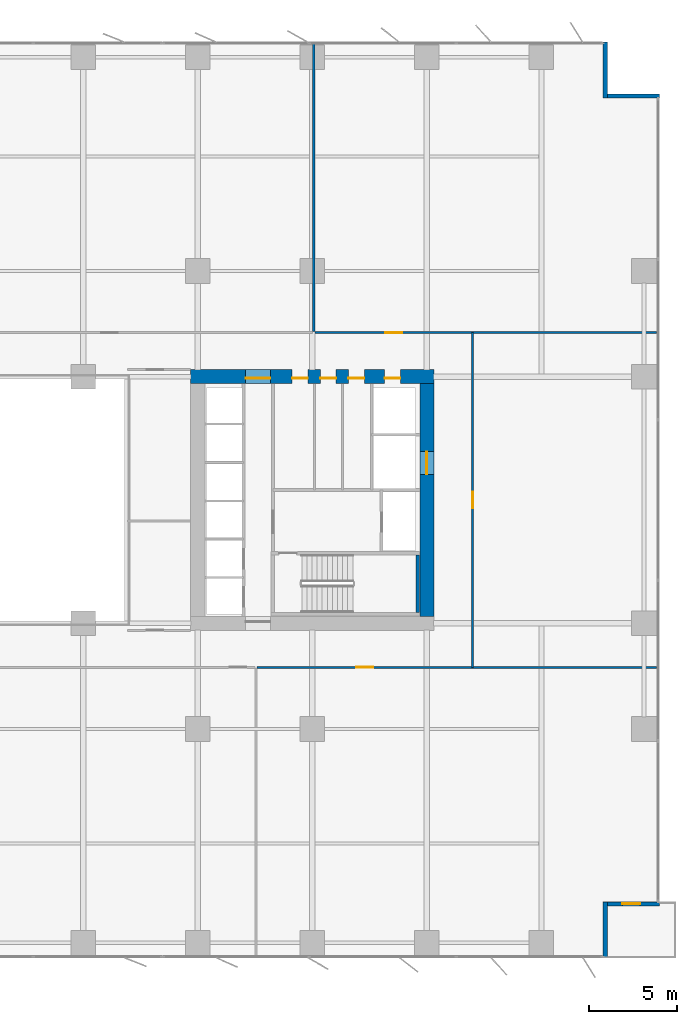
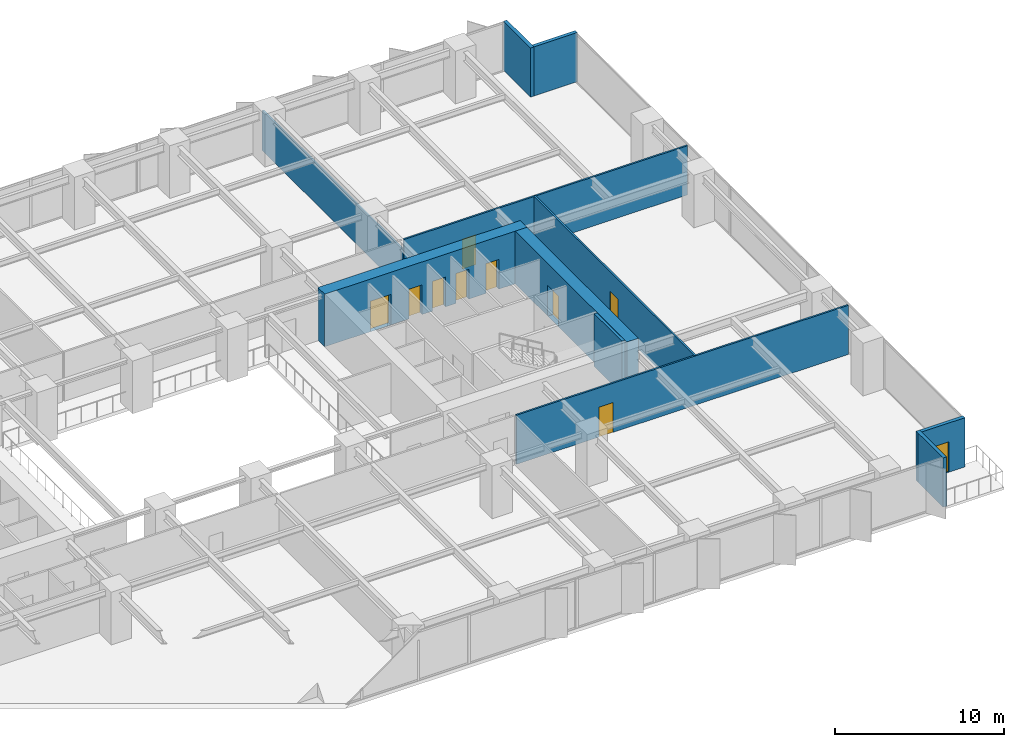
# One storey, part 15 of 20: 11 walls, 10 doors, 10 openings.
"""IFC4 building model written with IfcOpenShell, lengths in metres."""

import ifcopenshell
import ifcopenshell.guid

model = None  # the IFC model being written
_history = None  # IfcOwnerHistory: only IFC2X3 demands one
_inside = {}  # id of a spatial element -> (the spatial element, [elements in it])
_under = {}  # id of a project, library or spatial element -> (it, [spatial elements below it])
_declared = {}  # id of a project -> (the project, [libraries it declares])
_typed = {}  # id of a type object -> (the type object, [elements of that type])
_made_of = {}  # id of a material, layer set ... -> (it, [elements and type objects made of it])


def new_model(schema):
    """Start an empty IFC model of exactly this schema.

    Asked for "IFC4X3", IfcOpenShell would pick the latest addendum, in which some entities
    have other attributes; the version numbers below select the first issue.
    IFC2X3 requires an IfcOwnerHistory on every rooted entity: one is made here for all.
    """
    global model, _history
    if schema == "IFC4X3":
        model = ifcopenshell.file(schema_version=(4, 3, 0, 0))
    else:
        model = ifcopenshell.file(schema=schema)
    _inside.clear()
    _under.clear()
    _declared.clear()
    _typed.clear()
    _made_of.clear()
    _history = None
    if model.schema == "IFC2X3":
        org = make("IfcOrganization", Name="unknown")
        user = make(
            "IfcPersonAndOrganization",
            ThePerson=make("IfcPerson", FamilyName="unknown"),
            TheOrganization=org,
        )
        app = make(
            "IfcApplication",
            ApplicationDeveloper=org,
            Version="unknown",
            ApplicationFullName="unknown",
            ApplicationIdentifier="unknown",
        )
        _history = make(
            "IfcOwnerHistory",
            OwningUser=user,
            OwningApplication=app,
            ChangeAction="ADDED",
            CreationDate=0,
        )
    return model


def make(cls, **values):
    """One entity of the class cls with the attributes given. An attribute that is None is left unset."""
    return model.create_entity(
        cls, **{name: value for name, value in values.items() if value is not None}
    )


def rooted(cls, **values):
    """An entity with a GlobalId (a new one), such as an element, a storey or a relation."""
    return make(cls, GlobalId=ifcopenshell.guid.new(), OwnerHistory=_history, **values)


def si_unit(unit_type, name, prefix=None):
    """IfcSIUnit, for example si_unit("LENGTHUNIT", "METRE", prefix="MILLI")."""
    return make("IfcSIUnit", UnitType=unit_type, Prefix=prefix, Name=name)


def assignment(units):
    """IfcUnitAssignment: the units of a project."""
    return None if units is None else make("IfcUnitAssignment", Units=units)


def point(xyz):
    """IfcCartesianPoint."""
    return None if xyz is None else make("IfcCartesianPoint", Coordinates=xyz)


def direction(xyz):
    """IfcDirection."""
    return None if xyz is None else make("IfcDirection", DirectionRatios=xyz)


def frame(location, z_axis=None, x_axis=None):
    """IfcAxis2Placement3D, a coordinate frame: its origin and axes. An axis left out is left unset."""
    return make(
        "IfcAxis2Placement3D",
        Location=point(location),
        Axis=direction(z_axis),
        RefDirection=direction(x_axis),
    )


def frame_2d(location, x_axis=None):
    """IfcAxis2Placement2D, a coordinate frame in the plane: its origin and x axis."""
    return make(
        "IfcAxis2Placement2D", Location=point(location), RefDirection=direction(x_axis)
    )


def origin():
    """The frame at (0, 0, 0) with its axes left unset."""
    return frame((0.0, 0.0, 0.0))


def place(relative_to, where):
    """IfcLocalPlacement: puts the frame where relative to a parent placement (None: the world)."""
    return make(
        "IfcLocalPlacement", PlacementRelTo=relative_to, RelativePlacement=where
    )


def context(
    kind, dimensions, precision=None, world=None, true_north=None, identifier=None
):
    """IfcGeometricRepresentationContext, for example the 3D "Model" context."""
    return make(
        "IfcGeometricRepresentationContext",
        ContextIdentifier=identifier,
        ContextType=kind,
        CoordinateSpaceDimension=dimensions,
        Precision=precision,
        WorldCoordinateSystem=world,
        TrueNorth=true_north,
    )


def subcontext(parent, identifier, kind, view, scale=None):
    """IfcGeometricRepresentationSubContext, for example "Body" below "Model"."""
    return make(
        "IfcGeometricRepresentationSubContext",
        ContextIdentifier=identifier,
        ContextType=kind,
        ParentContext=parent,
        TargetScale=scale,
        TargetView=view,
    )


def project(units=None, contexts=None):
    """IfcProject with its units and contexts."""
    return rooted(
        "IfcProject",
        Name="project",
        RepresentationContexts=contexts,
        UnitsInContext=assignment(units),
    )


def spatial(cls, under=None, at=None, **own):
    """A site, building, storey or space (cls), placed at a placement, below another one or the project."""
    s = rooted(cls, ObjectPlacement=at, **own)
    if under is not None:
        _under.setdefault(under.id(), (under, []))[1].append(s)
    return s


def profile(cls, at=None, kind="AREA", **sizes):
    """A parametric profile (cls). Its sizes go by their IFC names, for example OverallWidth=200.0."""
    return make(cls, ProfileType=kind, Position=at, **sizes)


def rectangle(**sizes):
    """IfcRectangleProfileDef."""
    return profile("IfcRectangleProfileDef", **sizes)


def extrude(swept, where, along, depth):
    """IfcExtrudedAreaSolid: the profile swept, set in the frame where, extruded along a direction by depth."""
    return make(
        "IfcExtrudedAreaSolid",
        SweptArea=swept,
        Position=where,
        ExtrudedDirection=direction(along),
        Depth=depth,
    )


def shape(context_of_items, identifier, shape_type, items):
    """IfcShapeRepresentation: the items that make up one representation, for example the "Body"."""
    return make(
        "IfcShapeRepresentation",
        ContextOfItems=context_of_items,
        RepresentationIdentifier=identifier,
        RepresentationType=shape_type,
        Items=items,
    )


def material(Name=None, Category=None):
    """IfcMaterial."""
    return make("IfcMaterial", Name=Name, Category=Category)


def layer(
    of_material, thickness, ventilated=None, Name=None, Category=None, Priority=None
):
    """IfcMaterialLayer: one layer of a wall or slab, of a material (None: an air gap)."""
    return make(
        "IfcMaterialLayer",
        Material=of_material,
        LayerThickness=thickness,
        IsVentilated=ventilated,
        Name=Name,
        Category=Category,
        Priority=Priority,
    )


def layer_set(layers, Name=None):
    """IfcMaterialLayerSet."""
    return make("IfcMaterialLayerSet", MaterialLayers=layers, LayerSetName=Name)


def made_of(thing, what):
    """Note that an element or type object is made of a material, layer set ...; save() writes the relation."""
    if what is not None:
        _made_of.setdefault(what.id(), (what, []))[1].append(thing)
    return thing


def type_object(cls, material=None, **own):
    """A type object (cls), such as IfcWallType, which elements share."""
    return made_of(rooted(cls, **own), material)


def element(
    cls,
    number,
    at=None,
    inside=None,
    cuts=None,
    type_object=None,
    material=None,
    context=None,
    identifier="Body",
    shape_type=None,
    held_by="IfcProductDefinitionShape",
    body=None,
    shapes=None,
    **own,
):
    """One element of the class cls, such as IfcWall. Its Tag is "e" and its number.

    at: its placement. inside: the storey or other place that contains it. cuts: it is an
    opening in that element (IfcRelVoidsElement). A single representation is given by context,
    identifier, shape_type and body (its items); several are given by shapes. held_by: the class
    of the entity that holds the representations. save() writes the other relations.
    """
    e = rooted(cls, Tag="e%d" % number, ObjectPlacement=at, **own)
    if body is not None:
        shapes = [shape(context, identifier, shape_type, body)]
    if shapes is not None:
        e.Representation = make(held_by, Representations=shapes)
    if inside is not None:
        _inside.setdefault(inside.id(), (inside, []))[1].append(e)
    if cuts is not None:
        rooted(
            "IfcRelVoidsElement", RelatingBuildingElement=cuts, RelatedOpeningElement=e
        )
    if type_object is not None:
        _typed.setdefault(type_object.id(), (type_object, []))[1].append(e)
    return made_of(e, material)


def fill(opening, filler):
    """IfcRelFillsElement: the door or window that sits in an opening."""
    return rooted(
        "IfcRelFillsElement",
        RelatingOpeningElement=opening,
        RelatedBuildingElement=filler,
    )


def aggregate(whole, parts):
    """IfcRelAggregates: a whole, such as a stair, and the parts it consists of."""
    return rooted("IfcRelAggregates", RelatingObject=whole, RelatedObjects=parts)


def save(model, path):
    """Write the relations noted so far, then the file.

    IfcRelAggregates (storeys below a building ...), IfcRelContainedInSpatialStructure (elements
    in a storey), IfcRelDefinesByType, IfcRelAssociatesMaterial and IfcRelDeclares: one each for
    every whole, place, type object, material and project.
    """
    for whole, parts in _under.values():
        aggregate(whole, parts)
    for where, things in _inside.values():
        rooted(
            "IfcRelContainedInSpatialStructure",
            RelatedElements=things,
            RelatingStructure=where,
        )
    for kind, things in _typed.values():
        rooted("IfcRelDefinesByType", RelatedObjects=things, RelatingType=kind)
    for what, things in _made_of.values():
        rooted("IfcRelAssociatesMaterial", RelatedObjects=things, RelatingMaterial=what)
    for by, libraries in _declared.values():
        rooted("IfcRelDeclares", RelatingContext=by, RelatedDefinitions=libraries)
    model.write(path)


model = new_model("IFC4")

# Units and contexts
model_context = context("Model", 3, precision=1e-05, world=origin(), true_north=direction((0.0, 1.0)))
body_context = subcontext(model_context, "Body", "Model", "MODEL_VIEW")
ifc_project = project(units=[si_unit("LENGTHUNIT", "METRE"), si_unit("AREAUNIT", "SQUARE_METRE"), si_unit("VOLUMEUNIT", "CUBIC_METRE"), si_unit("PLANEANGLEUNIT", "RADIAN"), si_unit("MASSUNIT", "GRAM", prefix="KILO")], contexts=[model_context])

# Site, building, storey
site_placement = place(None, origin())
site = spatial("IfcSite", under=ifc_project, at=site_placement, CompositionType="ELEMENT")
building_placement = place(site_placement, origin())
building = spatial("IfcBuilding", under=site, at=building_placement, Name="Putna Gate Headquarters", CompositionType="ELEMENT")
storey_placement = place(building_placement, frame((0.0, 0.0, 46.800048828125)))
storey = spatial("IfcBuildingStorey", under=building, at=storey_placement, Name="L10", CompositionType="ELEMENT", Elevation=46.800048828125)

# Wall, openings, doors
ifc_material_1 = material(Name="Concrete C60/75", Category="concrete")
ifc_layer_1 = layer(ifc_material_1, 0.800048828125)
ifc_layer_set_1 = layer_set([ifc_layer_1], Name="Concrete C60/75")
wall_type_1 = type_object("IfcWallType", Name="WALL-CORE-800", PredefinedType="SHEAR", material=ifc_layer_set_1)
wall_1_placement = place(storey_placement, frame((51.60009765625, 33.0, 0.0), z_axis=(0.0, 0.0, 1.0), x_axis=(1.0, 0.0, 0.0)))
wall_1 = element("IfcWall", 1, at=wall_1_placement, inside=storey, type_object=wall_type_1, Name="L10 EC Split Core Shear Wall N", PredefinedType="SHEAR", context=body_context, shape_type="SweptSolid", body=[
    extrude(rectangle(XDim=13.7998046875, YDim=0.800048828125, at=frame_2d((6.89990234375, 0.0))), origin(), (0.0, 0.0, 1.0), 3.800048828125),
])
opening_1_placement = place(wall_1_placement, frame((3.1201171875, 0.0, 0.0)))
opening_1 = element("IfcOpeningElement", 2, at=opening_1_placement, cuts=wall_1, Name="Opening FDD-140", PredefinedType="OPENING", context=body_context, shape_type="SweptSolid", body=[
    extrude(rectangle(XDim=1.39990234375, YDim=2.199951171875, at=frame_2d((0.699951171875, 1.10009765625))), frame((0.0, 0.409912109375, 0.0), z_axis=(0.0, -1.0, 0.0), x_axis=(1.0, 0.0, 0.0)), (0.0, 0.0, 1.0), 0.820068359375),
])
opening_2_placement = place(wall_1_placement, frame((11.0, 0.0, 0.0)))
opening_2 = element("IfcOpeningElement", 3, at=opening_2_placement, cuts=wall_1, Name="Opening RD-90", PredefinedType="OPENING", context=body_context, shape_type="SweptSolid", body=[
    extrude(rectangle(XDim=0.89990234375, YDim=2.14990234375, at=frame_2d((0.449951171875, 1.074951171875))), frame((0.0, 0.409912109375, 0.0), z_axis=(0.0, -1.0, 0.0), x_axis=(1.0, 0.0, 0.0)), (0.0, 0.0, 1.0), 0.820068359375),
])
opening_3_placement = place(wall_1_placement, frame((5.75, 0.0, 0.0)))
opening_3 = element("IfcOpeningElement", 4, at=opening_3_placement, cuts=wall_1, Name="Opening IDS-90", PredefinedType="OPENING", context=body_context, shape_type="SweptSolid", body=[
    extrude(rectangle(XDim=0.89990234375, YDim=2.14990234375, at=frame_2d((0.449951171875, 1.074951171875))), frame((0.0, 0.409912109375, 0.0), z_axis=(0.0, -1.0, 0.0), x_axis=(1.0, 0.0, 0.0)), (0.0, 0.0, 1.0), 0.820068359375),
])
opening_4_placement = place(wall_1_placement, frame((7.35009765625, 0.0, 0.0)))
opening_4 = element("IfcOpeningElement", 5, at=opening_4_placement, cuts=wall_1, Name="Opening IDS-90", PredefinedType="OPENING", context=body_context, shape_type="SweptSolid", body=[
    extrude(rectangle(XDim=0.89990234375, YDim=2.14990234375, at=frame_2d((0.449951171875, 1.074951171875))), frame((0.0, 0.409912109375, 0.0), z_axis=(0.0, -1.0, 0.0), x_axis=(1.0, 0.0, 0.0)), (0.0, 0.0, 1.0), 0.820068359375),
])
opening_5_placement = place(wall_1_placement, frame((8.949951171875, 0.0, 0.0)))
opening_5 = element("IfcOpeningElement", 6, at=opening_5_placement, cuts=wall_1, Name="Opening IDS-90", PredefinedType="OPENING", context=body_context, shape_type="SweptSolid", body=[
    extrude(rectangle(XDim=0.89990234375, YDim=2.14990234375, at=frame_2d((0.449951171875, 1.074951171875))), frame((0.0, 0.409912109375, 0.0), z_axis=(0.0, -1.0, 0.0), x_axis=(1.0, 0.0, 0.0)), (0.0, 0.0, 1.0), 0.820068359375),
])
ifc_material_2 = material(Name="Double steel fire door", Category="steel")
door_type_1 = type_object("IfcDoorType", Name="DOOR-FIRE-DBL-1400", OperationType="DOUBLE_DOOR_SINGLE_SWING", PredefinedType="DOOR", material=ifc_material_2)
door_1_placement = place(opening_1_placement, origin())
door_1 = element("IfcDoor", 7, at=door_1_placement, inside=storey, type_object=door_type_1, Name="L10 East Lift Lobby North Door", OperationType="DOUBLE_DOOR_SINGLE_SWING", OverallHeight=2.199951171875, OverallWidth=1.39990234375, PredefinedType="DOOR", context=body_context, shape_type="SweptSolid", body=[
    extrude(rectangle(XDim=1.39990234375, YDim=2.199951171875, at=frame_2d((0.699951171875, 1.10009765625))), frame((0.0, -0.0751953125, 0.0), z_axis=(0.0, -1.0, 0.0), x_axis=(1.0, 0.0, 0.0)), (0.0, 0.0, 1.0), 0.050048828125),
])
fill(opening_1, door_1)
ifc_material_3 = material(Name="Fire-rated utility door")
door_type_2 = type_object("IfcDoorType", Name="DOOR-INT-900", OperationType="NOTDEFINED", PredefinedType="DOOR", material=ifc_material_3)
door_2_placement = place(opening_3_placement, origin())
door_2 = element("IfcDoor", 8, at=door_2_placement, inside=storey, type_object=door_type_2, Name="L10 East Cleaner Store Door", OperationType="SINGLE_SWING_RIGHT", OverallHeight=2.14990234375, OverallWidth=0.89990234375, PredefinedType="DOOR", context=body_context, shape_type="SweptSolid", body=[
    extrude(rectangle(XDim=0.89990234375, YDim=2.14990234375, at=frame_2d((0.449951171875, 1.074951171875))), frame((0.0, -0.0751953125, 0.0), z_axis=(0.0, -1.0, 0.0), x_axis=(1.0, 0.0, 0.0)), (0.0, 0.0, 1.0), 0.050048828125),
])
fill(opening_3, door_2)
door_3_placement = place(opening_4_placement, origin())
door_3 = element("IfcDoor", 9, at=door_3_placement, inside=storey, type_object=door_type_2, Name="L10 BMS Outstation Door", OperationType="SINGLE_SWING_LEFT", OverallHeight=2.14990234375, OverallWidth=0.89990234375, PredefinedType="DOOR", context=body_context, shape_type="SweptSolid", body=[
    extrude(rectangle(XDim=0.89990234375, YDim=2.14990234375, at=frame_2d((0.449951171875, 1.074951171875))), frame((0.0, -0.0751953125, 0.0), z_axis=(0.0, -1.0, 0.0), x_axis=(1.0, 0.0, 0.0)), (0.0, 0.0, 1.0), 0.050048828125),
])
fill(opening_4, door_3)
door_4_placement = place(opening_5_placement, origin())
door_4 = element("IfcDoor", 10, at=door_4_placement, inside=storey, type_object=door_type_2, Name="L10 Facilities Equipment Store Door", OperationType="SINGLE_SWING_RIGHT", OverallHeight=2.14990234375, OverallWidth=0.89990234375, PredefinedType="DOOR", context=body_context, shape_type="SweptSolid", body=[
    extrude(rectangle(XDim=0.89990234375, YDim=2.14990234375, at=frame_2d((0.449951171875, 1.074951171875))), frame((0.0, -0.0751953125, 0.0), z_axis=(0.0, -1.0, 0.0), x_axis=(1.0, 0.0, 0.0)), (0.0, 0.0, 1.0), 0.050048828125),
])
fill(opening_5, door_4)
ifc_material_4 = material(Name="Steel riser access fire door", Category="steel")
door_type_3 = type_object("IfcDoorType", Name="DOOR-RISER-900", OperationType="NOTDEFINED", PredefinedType="DOOR", material=ifc_material_4)
door_5_placement = place(opening_2_placement, origin())
door_5 = element("IfcDoor", 11, at=door_5_placement, inside=storey, type_object=door_type_3, Name="L10 East Riser Access Door", OperationType="SINGLE_SWING_LEFT", OverallHeight=2.14990234375, OverallWidth=0.89990234375, PredefinedType="DOOR", context=body_context, shape_type="SweptSolid", body=[
    extrude(rectangle(XDim=0.89990234375, YDim=2.14990234375, at=frame_2d((0.449951171875, 1.074951171875))), frame((0.0, -0.0751953125, 0.0), z_axis=(0.0, -1.0, 0.0), x_axis=(1.0, 0.0, 0.0)), (0.0, 0.0, 1.0), 0.050048828125),
])
fill(opening_2, door_5)

# Wall, opening, door
wall_2_placement = place(storey_placement, frame((65.0, 19.39990234375, 0.0), z_axis=(0.0, 0.0, 1.0), x_axis=(0.0, 1.0, 0.0)))
wall_2 = element("IfcWall", 12, at=wall_2_placement, inside=storey, type_object=wall_type_1, Name="L10 EC Split Core Shear Wall E", PredefinedType="SHEAR", context=body_context, shape_type="SweptSolid", body=[
    extrude(rectangle(XDim=13.2001953125, YDim=0.800048828125, at=frame_2d((6.60009765625, 0.0))), origin(), (0.0, 0.0, 1.0), 3.800048828125),
])
opening_6_placement = place(wall_2_placement, frame((8.050048828125, 0.0, 0.0)))
opening_6 = element("IfcOpeningElement", 13, at=opening_6_placement, cuts=wall_2, Name="Opening LD-2", PredefinedType="OPENING", context=body_context, shape_type="SweptSolid", body=[
    extrude(rectangle(XDim=1.300048828125, YDim=2.199951171875, at=frame_2d((0.64990234375, 1.10009765625))), frame((0.0, 0.409912109375, 0.0), z_axis=(0.0, -1.0, 0.0), x_axis=(1.0, 0.0, 0.0)), (0.0, 0.0, 1.0), 0.820068359375),
])
ifc_material_5 = material(Name="Heavy-duty goods lift sliding landing door")
door_type_4 = type_object("IfcDoorType", Name="DOOR-LIFT-1300", OperationType="DOUBLE_DOOR_SLIDING", PredefinedType="DOOR", material=ifc_material_5)
door_6_placement = place(opening_6_placement, origin())
door_6 = element("IfcDoor", 14, at=door_6_placement, inside=storey, type_object=door_type_4, Name="L10 Goods Lift Landing Door LD-15", OperationType="DOUBLE_DOOR_SLIDING", OverallHeight=2.199951171875, OverallWidth=1.300048828125, PredefinedType="DOOR", context=body_context, shape_type="SweptSolid", body=[
    extrude(rectangle(XDim=1.300048828125, YDim=2.199951171875, at=frame_2d((0.64990234375, 1.10009765625))), frame((0.0, 0.02490234375, 0.0), z_axis=(0.0, -1.0, 0.0), x_axis=(1.0, 0.0, 0.0)), (0.0, 0.0, 1.0), 0.050048828125),
])
fill(opening_6, door_6)

# Walls
ifc_material_6 = material(Name="Precast concrete C40/50", Category="concrete")
ifc_layer_2 = layer(ifc_material_6, 0.239990234375)
ifc_layer_set_2 = layer_set([ifc_layer_2], Name="Precast concrete C40/50")
wall_type_2 = type_object("IfcWallType", Name="WALL-EXT-TERR-240", PredefinedType="STANDARD", material=ifc_layer_set_2)
for number, where, z_axis, x_axis, name in (
    (15, (75.1201171875, 52.0, 0.0), (0.0, 0.0, 1.0), (0.0, -1.0, 0.0), "L10 Corner Notch Return Wall NE-V"),
    (16, (75.0, 48.919921875, 0.0), (0.0, 0.0, 1.0), (1.0, 0.0, 0.0), "L10 Corner Notch Return Wall NE-H"),
    (17, (75.1201171875, 3.199951171875, 0.0), (0.0, 0.0, 1.0), (0.0, -1.0, 0.0), "L10 Corner Notch Return Wall SE-V"),
):
    element("IfcWall", number, at=place(storey_placement, frame(where, z_axis=z_axis, x_axis=x_axis)), inside=storey, type_object=wall_type_2, Name=name, PredefinedType="STANDARD", context=body_context, shape_type="SweptSolid", body=[
        extrude(rectangle(XDim=3.199951171875, YDim=0.239990234375, at=frame_2d((1.60009765625, 0.0))), origin(), (0.0, 0.0, 1.0), 3.550048828125),
    ])

# Wall, opening, door
wall_3_placement = place(storey_placement, frame((78.199951171875, 3.080078125, 0.0), z_axis=(0.0, 0.0, 1.0), x_axis=(-1.0, 0.0, 0.0)))
wall_3 = element("IfcWall", 18, at=wall_3_placement, inside=storey, type_object=wall_type_2, Name="L10 Corner Notch Return Wall SE-H", PredefinedType="STANDARD", context=body_context, shape_type="SweptSolid", body=[
    extrude(rectangle(XDim=3.199951171875, YDim=0.239990234375, at=frame_2d((1.60009765625, 0.0))), origin(), (0.0, 0.0, 1.0), 3.550048828125),
])
opening_7_placement = place(wall_3_placement, frame((1.10009765625, 0.0, 0.0)))
opening_7 = element("IfcOpeningElement", 19, at=opening_7_placement, cuts=wall_3, Name="Opening TRD-1", PredefinedType="OPENING", context=body_context, shape_type="SweptSolid", body=[
    extrude(rectangle(XDim=1.0, YDim=2.199951171875, at=frame_2d((0.5, 1.10009765625))), frame((0.0, 0.1298828125, 0.0), z_axis=(0.0, -1.0, 0.0), x_axis=(1.0, 0.0, 0.0)), (0.0, 0.0, 1.0), 0.260009765625),
])
ifc_material_7 = material(Name="Thermally broken bronze glazed terrace door")
door_type_5 = type_object("IfcDoorType", Name="DOOR-TERR-EXT-1000", OperationType="NOTDEFINED", PredefinedType="DOOR", material=ifc_material_7)
door_7_placement = place(opening_7_placement, origin())
door_7 = element("IfcDoor", 20, at=door_7_placement, inside=storey, type_object=door_type_5, Name="L10 Spiral Sky Terrace Door SE", OperationType="SINGLE_SWING_RIGHT", OverallHeight=2.199951171875, OverallWidth=1.0, PredefinedType="DOOR", context=body_context, shape_type="SweptSolid", body=[
    extrude(rectangle(XDim=1.0, YDim=2.199951171875, at=frame_2d((0.5, 1.10009765625))), frame((0.0, 0.02490234375, 0.0), z_axis=(0.0, -1.0, 0.0), x_axis=(1.0, 0.0, 0.0)), (0.0, 0.0, 1.0), 0.050048828125),
])
fill(opening_7, door_7)

# Wall
ifc_material_8 = material(Name="Acoustic gypsum board on metal stud")
ifc_layer_3 = layer(ifc_material_8, 0.1201171875)
ifc_layer_set_3 = layer_set([ifc_layer_3], Name="Acoustic gypsum board on metal stud")
wall_type_3 = type_object("IfcWallType", Name="WALL-PART-120", PredefinedType="PARTITIONING", material=ifc_layer_set_3)
wall_4_placement = place(storey_placement, frame((58.580078125, 35.56005859375, 0.0), z_axis=(0.0, 0.0, 1.0), x_axis=(0.0, 1.0, 0.0)))
element("IfcWall", 21, at=wall_4_placement, inside=storey, type_object=wall_type_3, Name="L10 Interior Wall PART-L10-NB-DIV-03", PredefinedType="PARTITIONING", context=body_context, shape_type="SweptSolid", body=[
    extrude(rectangle(XDim=16.419921875, YDim=0.1201171875, at=frame_2d((8.2099609375, 0.0))), origin(), (0.0, 0.0, 1.0), 2.89990234375),
])

# Wall, opening, door
ifc_material_9 = material(Name="Fire-rated gypsum board on metal stud")
ifc_layer_4 = layer(ifc_material_9, 0.1201171875)
ifc_layer_set_4 = layer_set([ifc_layer_4], Name="Fire-rated gypsum board on metal stud")
wall_type_4 = type_object("IfcWallType", Name="WALL-PART-120-RATED", PredefinedType="PARTITIONING", material=ifc_layer_set_4)
wall_5_placement = place(storey_placement, frame((58.64013671875, 35.5, 0.0), z_axis=(0.0, 0.0, 1.0), x_axis=(1.0, 0.0, 0.0)))
wall_5 = element("IfcWall", 22, at=wall_5_placement, inside=storey, type_object=wall_type_4, Name="L10 Interior Wall PART-L10-NB-CW-04", PredefinedType="PARTITIONING", context=body_context, shape_type="SweptSolid", body=[
    extrude(rectangle(XDim=19.3798828125, YDim=0.1201171875, at=frame_2d((9.68994140625, 0.0))), origin(), (0.0, 0.0, 1.0), 3.550048828125),
])
opening_8_placement = place(wall_5_placement, frame((4.0048828125, 0.0, 0.0)))
opening_8 = element("IfcOpeningElement", 23, at=opening_8_placement, cuts=wall_5, Name="Opening FD-95", PredefinedType="OPENING", context=body_context, shape_type="SweptSolid", body=[
    extrude(rectangle(XDim=0.949951171875, YDim=2.14990234375, at=frame_2d((0.47509765625, 1.074951171875))), frame((0.0, 0.070068359375, 0.0), z_axis=(0.0, -1.0, 0.0), x_axis=(1.0, 0.0, 0.0)), (0.0, 0.0, 1.0), 0.14013671875),
])
ifc_material_10 = material(Name="Acoustic timber fire door", Category="wood")
door_type_6 = type_object("IfcDoorType", Name="DOOR-FIRE-950", OperationType="NOTDEFINED", PredefinedType="DOOR", material=ifc_material_10)
door_8_placement = place(opening_8_placement, origin())
door_8 = element("IfcDoor", 24, at=door_8_placement, inside=storey, type_object=door_type_6, Name="L10 Quiet Wellness Focus Studio 1 Door", OperationType="SINGLE_SWING_LEFT", OverallHeight=2.14990234375, OverallWidth=0.949951171875, PredefinedType="DOOR", context=body_context, shape_type="SweptSolid", body=[
    extrude(rectangle(XDim=0.949951171875, YDim=2.14990234375, at=frame_2d((0.47509765625, 1.074951171875))), frame((0.0, 0.02490234375, 0.0), z_axis=(0.0, -1.0, 0.0), x_axis=(1.0, 0.0, 0.0)), (0.0, 0.0, 1.0), 0.050048828125),
])
fill(opening_8, door_8)

wall_6_placement = place(storey_placement, frame((55.356201171875, 16.5, 0.0), z_axis=(0.0, 0.0, 1.0), x_axis=(1.0, 0.0, 0.0)))
wall_6 = element("IfcWall", 25, at=wall_6_placement, inside=storey, type_object=wall_type_4, Name="L10 Interior Wall PART-L10-SB-CW-04", PredefinedType="PARTITIONING", context=body_context, shape_type="SweptSolid", body=[
    extrude(rectangle(XDim=22.663818359375, YDim=0.1201171875, at=frame_2d((11.33203125, 0.0))), origin(), (0.0, 0.0, 1.0), 3.550048828125),
])
opening_9_placement = place(wall_6_placement, frame((5.64697265625, 0.0, 0.0)))
opening_9 = element("IfcOpeningElement", 26, at=opening_9_placement, cuts=wall_6, Name="Opening FD-95", PredefinedType="OPENING", context=body_context, shape_type="SweptSolid", body=[
    extrude(rectangle(XDim=0.949951171875, YDim=2.14990234375, at=frame_2d((0.47509765625, 1.074951171875))), frame((0.0, 0.070068359375, 0.0), z_axis=(0.0, -1.0, 0.0), x_axis=(1.0, 0.0, 0.0)), (0.0, 0.0, 1.0), 0.14013671875),
])
door_9_placement = place(opening_9_placement, origin())
door_9 = element("IfcDoor", 27, at=door_9_placement, inside=storey, type_object=door_type_6, Name="L10 Quiet Wellness Focus Studio 3 Door", OperationType="SINGLE_SWING_LEFT", OverallHeight=2.14990234375, OverallWidth=0.949951171875, PredefinedType="DOOR", context=body_context, shape_type="SweptSolid", body=[
    extrude(rectangle(XDim=0.949951171875, YDim=2.14990234375, at=frame_2d((0.47509765625, 1.074951171875))), frame((0.0, 0.02490234375, 0.0), z_axis=(0.0, -1.0, 0.0), x_axis=(1.0, 0.0, 0.0)), (0.0, 0.0, 1.0), 0.050048828125),
])
fill(opening_9, door_9)

wall_7_placement = place(storey_placement, frame((67.60009765625, 16.5, 0.0), z_axis=(0.0, 0.0, 1.0), x_axis=(0.0, 1.0, 0.0)))
wall_7 = element("IfcWall", 28, at=wall_7_placement, inside=storey, type_object=wall_type_4, Name="L10 Interior Wall PART-L10-EW-CW-1", PredefinedType="PARTITIONING", context=body_context, shape_type="SweptSolid", body=[
    extrude(rectangle(XDim=19.0, YDim=0.1201171875, at=frame_2d((9.5, 0.0))), origin(), (0.0, 0.0, 1.0), 3.550048828125),
])
opening_10_placement = place(wall_7_placement, frame((9.02490234375, 0.0, 0.0)))
opening_10 = element("IfcOpeningElement", 29, at=opening_10_placement, cuts=wall_7, Name="Opening FD-95", PredefinedType="OPENING", context=body_context, shape_type="SweptSolid", body=[
    extrude(rectangle(XDim=0.949951171875, YDim=2.14990234375, at=frame_2d((0.47509765625, 1.074951171875))), frame((0.0, 0.070068359375, 0.0), z_axis=(0.0, -1.0, 0.0), x_axis=(1.0, 0.0, 0.0)), (0.0, 0.0, 1.0), 0.14013671875),
])
door_10_placement = place(opening_10_placement, origin())
door_10 = element("IfcDoor", 30, at=door_10_placement, inside=storey, type_object=door_type_6, Name="L10 East Horizon Conference Room 1 Door", OperationType="SINGLE_SWING_RIGHT", OverallHeight=2.14990234375, OverallWidth=0.949951171875, PredefinedType="DOOR", context=body_context, shape_type="SweptSolid", body=[
    extrude(rectangle(XDim=0.949951171875, YDim=2.14990234375, at=frame_2d((0.47509765625, 1.074951171875))), frame((0.0, 0.02490234375, 0.0), z_axis=(0.0, -1.0, 0.0), x_axis=(1.0, 0.0, 0.0)), (0.0, 0.0, 1.0), 0.050048828125),
])
fill(opening_10, door_10)

# Wall
ifc_material_11 = material(Name="Concrete C40/50", Category="concrete")
ifc_layer_5 = layer(ifc_material_11, 0.199951171875)
ifc_layer_set_5 = layer_set([ifc_layer_5], Name="Concrete C40/50")
wall_type_5 = type_object("IfcWallType", Name="WALL-SHAFT-RC200", PredefinedType="SHEAR", material=ifc_layer_set_5)
wall_8_placement = place(storey_placement, frame((64.489990234375, 19.610107421875, 0.0), z_axis=(0.0, 0.0, 1.0), x_axis=(0.0, 1.0, 0.0)))
element("IfcWall", 31, at=wall_8_placement, inside=storey, type_object=wall_type_5, Name="L10 Stair ST2 Structural Shaft Wall E", PredefinedType="SHEAR", context=body_context, shape_type="SweptSolid", body=[
    extrude(rectangle(XDim=3.27978515625, YDim=0.199951171875, at=frame_2d((1.639892578125, 0.0))), origin(), (0.0, 0.0, 1.0), 3.800048828125),
])

save(model, "model.ifc")
